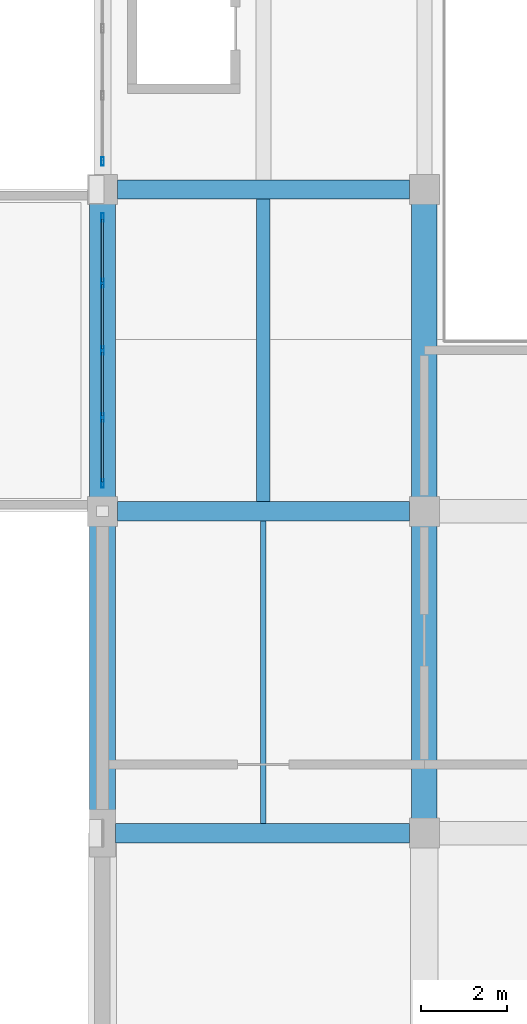
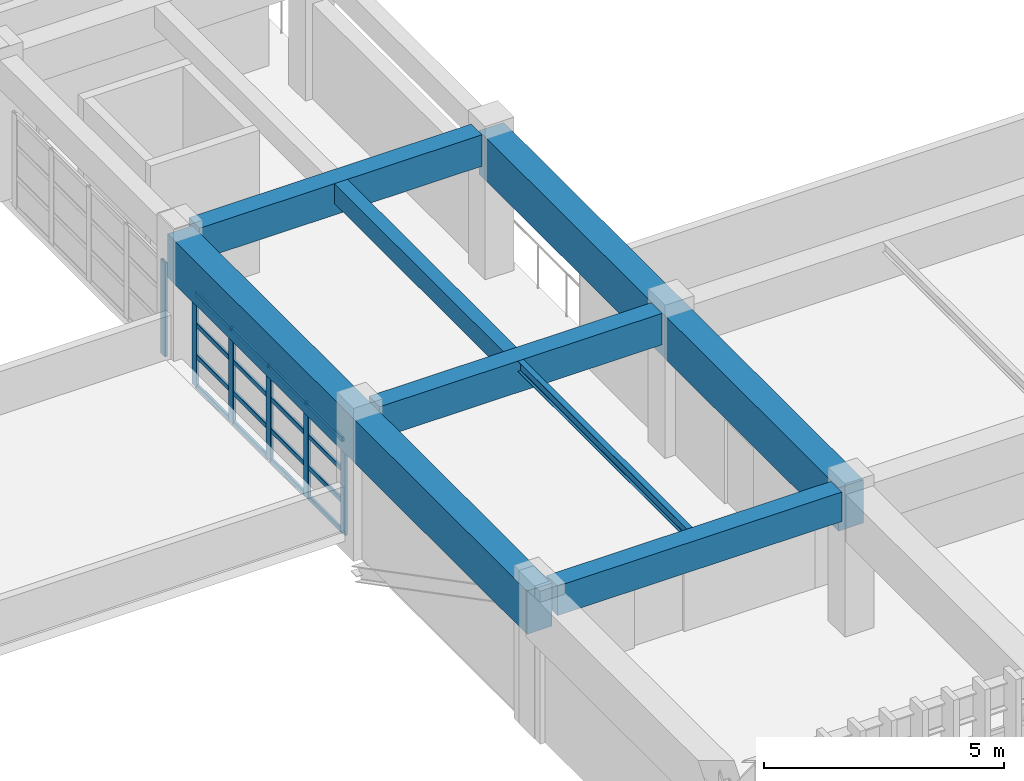
# One storey, part 14 of 82: 22 members, 7 beams, 2 elements without a shape of their own.
"""IFC4 building model written with IfcOpenShell, lengths in metres."""

from ifc_helpers import new_model, si_unit, direction, frame, origin, origin_2d, place, context, subcontext, project, spatial, rectangle, hollow_rectangle, i_section, extrude, material, material_profile, profile_set, type_object, element, aggregate, save


model = new_model("IFC4")

# Units and contexts
model_context = context("Model", 3, precision=1e-05, world=origin(), true_north=direction((0.0, 1.0)))
body_context = subcontext(model_context, "Body", "Model", "MODEL_VIEW")
ifc_project = project(units=[si_unit("LENGTHUNIT", "METRE"), si_unit("AREAUNIT", "SQUARE_METRE"), si_unit("VOLUMEUNIT", "CUBIC_METRE"), si_unit("PLANEANGLEUNIT", "RADIAN"), si_unit("MASSUNIT", "GRAM", prefix="KILO")], contexts=[model_context])

# Site, building, storey
site_placement = place(None, origin())
site = spatial("IfcSite", under=ifc_project, at=site_placement, CompositionType="ELEMENT")
building_placement = place(site_placement, origin())
building = spatial("IfcBuilding", under=site, at=building_placement, Name="Qasida Concert Hall", CompositionType="ELEMENT")
storey_placement = place(building_placement, frame((0.0, 0.0, 17.10009765625)))
storey = spatial("IfcBuildingStorey", under=building, at=storey_placement, Name="L04", CompositionType="ELEMENT", Elevation=17.10009765625)

# Beams
ifc_material_1 = material(Name="Concrete C40/50", Category="concrete")
ifc_material_profile_1 = material_profile(ifc_material_1, rectangle(XDim=0.449951171875, YDim=0.800048828125, at=origin_2d()), Name="RC 450x800")
ifc_profile_set_1 = profile_set([ifc_material_profile_1], Name="Concrete C40/50")
beam_type_1 = type_object("IfcBeamType", Name="BM-G2", PredefinedType="USERDEFINED", material=ifc_profile_set_1)
for number, where, z_axis, x_axis, name in (
    (1, (52.85009765625, 30.0, 3.219970703125), (1.0, 0.0, 0.0), (0.0, 1.0, 0.0), "Primary girder 1810"),
    (2, (52.85009765625, 37.5, 3.219970703125), (1.0, 0.0, 0.0), (0.0, 1.0, 0.0), "Primary girder 1815"),
):
    element("IfcBeam", number, at=place(storey_placement, frame(where, z_axis=z_axis, x_axis=x_axis)), inside=storey, type_object=beam_type_1, Name=name, ObjectType="GIRDER", PredefinedType="USERDEFINED", context=body_context, shape_type="SweptSolid", body=[
        extrude(rectangle(XDim=0.449951171875, YDim=0.800048828125, at=origin_2d()), origin(), (0.0, 0.0, 1.0), 6.7998046875),
    ])
ifc_material_2 = material(Name="Concrete C50/60", Category="concrete")
ifc_material_profile_2 = material_profile(ifc_material_2, rectangle(XDim=0.60009765625, YDim=1.10009765625, at=origin_2d()), Name="RC 600x1100")
ifc_profile_set_2 = profile_set([ifc_material_profile_2], Name="Concrete C50/60")
beam_type_2 = type_object("IfcBeamType", Name="BM-G4", PredefinedType="USERDEFINED", material=ifc_profile_set_2)
for number, where, z_axis, x_axis, name in (
    (3, (52.5, 22.5, 3.02001953125), (0.0, 1.0, 0.0), (-1.0, 0.0, 0.0), "Cantilever backspan girder CGB-022"),
    (4, (60.0, 22.5, 3.02001953125), (0.0, 1.0, 0.0), (-1.0, 0.0, 0.0), "Cantilever backspan girder CGB-023"),
):
    element("IfcBeam", number, at=place(storey_placement, frame(where, z_axis=z_axis, x_axis=x_axis)), inside=storey, type_object=beam_type_2, Name=name, ObjectType="GIRDER", PredefinedType="USERDEFINED", context=body_context, shape_type="SweptSolid", body=[
        extrude(rectangle(XDim=0.60009765625, YDim=1.10009765625, at=origin_2d()), origin(), (0.0, 0.0, 1.0), 15.0),
    ])
ifc_material_3 = material(Name="Steel S355J2", Category="steel")
ifc_material_profile_3 = material_profile(ifc_material_3, i_section(OverallWidth=0.135009765625, OverallDepth=0.27001953125, WebThickness=0.006591796875, FlangeThickness=0.01025390625, FilletRadius=0.014892578125, at=origin_2d()), Name="IPE 270")
ifc_profile_set_3 = profile_set([ifc_material_profile_3], Name="Steel S355J2")
beam_type_3 = type_object("IfcBeamType", Name="BM-J6", PredefinedType="JOIST", material=ifc_profile_set_3)
beam_1_placement = place(storey_placement, frame((56.25, 22.72509765625, 3.48486328125), z_axis=(0.0, 1.0, 0.0), x_axis=(-1.0, 0.0, 0.0)))
element("IfcBeam", 5, at=beam_1_placement, inside=storey, type_object=beam_type_3, Name="L04 secondary joist 1869", PredefinedType="JOIST", context=body_context, shape_type="SweptSolid", body=[
    extrude(i_section(OverallWidth=0.135009765625, OverallDepth=0.27001953125, WebThickness=0.006591796875, FlangeThickness=0.01025390625, FilletRadius=0.014892578125, at=origin_2d()), origin(), (0.0, 0.0, 1.0), 7.0498046875),
])
ifc_material_profile_4 = material_profile(ifc_material_1, rectangle(XDim=0.320068359375, YDim=0.5, at=origin_2d()), Name="RC 320x500")
ifc_profile_set_4 = profile_set([ifc_material_profile_4], Name="Concrete C40/50")
beam_type_4 = type_object("IfcBeamType", Name="BM-J7", PredefinedType="JOIST", material=ifc_profile_set_4)
beam_2_placement = place(storey_placement, frame((56.25, 30.22509765625, 3.369873046875), z_axis=(0.0, 1.0, 0.0), x_axis=(-1.0, 0.0, 0.0)))
element("IfcBeam", 6, at=beam_2_placement, inside=storey, type_object=beam_type_4, Name="L04 secondary joist 1870", PredefinedType="JOIST", context=body_context, shape_type="SweptSolid", body=[
    extrude(rectangle(XDim=0.320068359375, YDim=0.5, at=origin_2d()), origin(), (0.0, 0.0, 1.0), 7.0498046875),
])
ifc_material_profile_5 = material_profile(ifc_material_1, rectangle(XDim=0.449951171875, YDim=0.75, at=origin_2d()), Name="RC 450x750")
ifc_profile_set_5 = profile_set([ifc_material_profile_5], Name="Concrete C40/50")
beam_type_5 = type_object("IfcBeamType", Name="BM-SP4", PredefinedType="SPANDREL", material=ifc_profile_set_5)
beam_3_placement = place(storey_placement, frame((52.800048828125, 22.5, 3.244873046875), z_axis=(1.0, 0.0, 0.0), x_axis=(0.0, 1.0, 0.0)))
element("IfcBeam", 7, at=beam_3_placement, inside=storey, type_object=beam_type_5, Name="Primary girder 1805", PredefinedType="SPANDREL", context=body_context, shape_type="SweptSolid", body=[
    extrude(rectangle(XDim=0.449951171875, YDim=0.75, at=origin_2d()), origin(), (0.0, 0.0, 1.0), 6.849853515625),
])

# Curtain wall, members
ifc_material_4 = material(Name="Architectural bronze-anodized aluminium and low-E glass", Category="aluminium")
curtain_wall_type = type_object("IfcCurtainWallType", Name="CW-11", PredefinedType="NOTDEFINED", material=ifc_material_4)
curtain_wall_1_placement = place(storey_placement, origin())
curtain_wall_1 = element("IfcCurtainWall", 8, at=curtain_wall_1_placement, inside=storey, type_object=curtain_wall_type, Name="L04 curtain wall CW-11 0056", PredefinedType="NOTDEFINED")
ifc_material_5 = material(Name="Architectural bronze-anodized aluminium EN AW-6063", Category="aluminium")
ifc_material_profile_6 = material_profile(ifc_material_5, hollow_rectangle(XDim=0.06494140625, YDim=0.199951171875, WallThickness=0.0048828125, InnerFilletRadius=0.0048828125, OuterFilletRadius=0.010009765625, at=origin_2d()), Name="CWM 200x65x5")
ifc_profile_set_6 = profile_set([ifc_material_profile_6], Name="Architectural bronze-anodized aluminium EN AW-6063")
member_type_1 = type_object("IfcMemberType", Name="MB-CWM-2", PredefinedType="MULLION", material=ifc_profile_set_6)
member_1_placement = place(storey_placement, frame((52.5, 30.652587890625, 0.0), z_axis=(0.0, 0.0, 1.0), x_axis=(-1.0, 0.0, 0.0)))
member_1 = element("IfcMember", 9, at=member_1_placement, type_object=member_type_1, Name="CW-11 mullion 1", PredefinedType="MULLION", context=body_context, shape_type="SweptSolid", body=[
    extrude(hollow_rectangle(XDim=0.06494140625, YDim=0.199951171875, WallThickness=0.0048828125, InnerFilletRadius=0.0048828125, OuterFilletRadius=0.010009765625, at=origin_2d()), origin(), (0.0, 0.0, 1.0), 2.389892578125),
])
member_2_placement = place(storey_placement, frame((52.5, 32.18505859375, 0.0), z_axis=(0.0, 0.0, 1.0), x_axis=(-1.0, 0.0, 0.0)))
member_2 = element("IfcMember", 10, at=member_2_placement, type_object=member_type_1, Name="CW-11 mullion 2", PredefinedType="MULLION", context=body_context, shape_type="SweptSolid", body=[
    extrude(hollow_rectangle(XDim=0.06494140625, YDim=0.199951171875, WallThickness=0.0048828125, InnerFilletRadius=0.0048828125, OuterFilletRadius=0.010009765625, at=origin_2d()), origin(), (0.0, 0.0, 1.0), 2.389892578125),
])
member_3_placement = place(storey_placement, frame((52.5, 33.75, 0.0), z_axis=(0.0, 0.0, 1.0), x_axis=(-1.0, 0.0, 0.0)))
member_3 = element("IfcMember", 11, at=member_3_placement, type_object=member_type_1, Name="CW-11 mullion 3", PredefinedType="MULLION", context=body_context, shape_type="SweptSolid", body=[
    extrude(hollow_rectangle(XDim=0.06494140625, YDim=0.199951171875, WallThickness=0.0048828125, InnerFilletRadius=0.0048828125, OuterFilletRadius=0.010009765625, at=origin_2d()), origin(), (0.0, 0.0, 1.0), 2.389892578125),
])
member_4_placement = place(storey_placement, frame((52.5, 35.31494140625, 0.0), z_axis=(0.0, 0.0, 1.0), x_axis=(-1.0, 0.0, 0.0)))
member_4 = element("IfcMember", 12, at=member_4_placement, type_object=member_type_1, Name="CW-11 mullion 4", PredefinedType="MULLION", context=body_context, shape_type="SweptSolid", body=[
    extrude(hollow_rectangle(XDim=0.06494140625, YDim=0.199951171875, WallThickness=0.0048828125, InnerFilletRadius=0.0048828125, OuterFilletRadius=0.010009765625, at=origin_2d()), origin(), (0.0, 0.0, 1.0), 2.389892578125),
])
member_5_placement = place(storey_placement, frame((52.5, 36.847412109375, 0.0), z_axis=(0.0, 0.0, 1.0), x_axis=(-1.0, 0.0, 0.0)))
member_5 = element("IfcMember", 13, at=member_5_placement, type_object=member_type_1, Name="CW-11 mullion 5", PredefinedType="MULLION", context=body_context, shape_type="SweptSolid", body=[
    extrude(hollow_rectangle(XDim=0.06494140625, YDim=0.199951171875, WallThickness=0.0048828125, InnerFilletRadius=0.0048828125, OuterFilletRadius=0.010009765625, at=origin_2d()), origin(), (0.0, 0.0, 1.0), 2.389892578125),
])

# Curtain wall, member
curtain_wall_2_placement = place(storey_placement, origin())
curtain_wall_2 = element("IfcCurtainWall", 14, at=curtain_wall_2_placement, inside=storey, type_object=curtain_wall_type, Name="L04 curtain wall CW-11 0058", PredefinedType="NOTDEFINED")
member_6_placement = place(storey_placement, frame((52.5, 38.152587890625, 0.0), z_axis=(0.0, 0.0, 1.0), x_axis=(-1.0, 0.0, 0.0)))
member_6 = element("IfcMember", 15, at=member_6_placement, type_object=member_type_1, Name="CW-11 mullion 1", PredefinedType="MULLION", context=body_context, shape_type="SweptSolid", body=[
    extrude(hollow_rectangle(XDim=0.06494140625, YDim=0.199951171875, WallThickness=0.0048828125, InnerFilletRadius=0.0048828125, OuterFilletRadius=0.010009765625, at=origin_2d()), origin(), (0.0, 0.0, 1.0), 2.389892578125),
])
aggregate(curtain_wall_2, [member_6])

# Member
ifc_material_profile_7 = material_profile(ifc_material_5, hollow_rectangle(XDim=0.06005859375, YDim=0.1201171875, WallThickness=0.00390625, InnerFilletRadius=0.00390625, OuterFilletRadius=0.008056640625, at=origin_2d()), Name="CWT 120x60x4")
ifc_profile_set_7 = profile_set([ifc_material_profile_7], Name="Architectural bronze-anodized aluminium EN AW-6063")
member_type_2 = type_object("IfcMemberType", Name="MB-CWT-2", PredefinedType="USERDEFINED", material=ifc_profile_set_7)
member_7_placement = place(storey_placement, frame((52.5, 30.68505859375, 0.02978515625), z_axis=(0.0, 1.0, 0.0), x_axis=(-1.0, 0.0, 0.0)))
member_7 = element("IfcMember", 16, at=member_7_placement, type_object=member_type_2, Name="CW-11 transom 1.1", ObjectType="TRANSOM", PredefinedType="USERDEFINED", context=body_context, shape_type="SweptSolid", body=[
    extrude(hollow_rectangle(XDim=0.06005859375, YDim=0.1201171875, WallThickness=0.00390625, InnerFilletRadius=0.00390625, OuterFilletRadius=0.008056640625, at=origin_2d()), origin(), (0.0, 0.0, 1.0), 1.467529296875),
])

member_8_placement = place(storey_placement, frame((52.5, 30.68505859375, 0.796630859375), z_axis=(0.0, 1.0, 0.0), x_axis=(-1.0, 0.0, 0.0)))
member_8 = element("IfcMember", 17, at=member_8_placement, type_object=member_type_2, Name="CW-11 transom 1.2", ObjectType="TRANSOM", PredefinedType="USERDEFINED", context=body_context, shape_type="SweptSolid", body=[
    extrude(hollow_rectangle(XDim=0.06005859375, YDim=0.1201171875, WallThickness=0.00390625, InnerFilletRadius=0.00390625, OuterFilletRadius=0.008056640625, at=origin_2d()), origin(), (0.0, 0.0, 1.0), 1.467529296875),
])

member_9_placement = place(storey_placement, frame((52.5, 30.68505859375, 1.59326171875), z_axis=(0.0, 1.0, 0.0), x_axis=(-1.0, 0.0, 0.0)))
member_9 = element("IfcMember", 18, at=member_9_placement, type_object=member_type_2, Name="CW-11 transom 1.3", ObjectType="TRANSOM", PredefinedType="USERDEFINED", context=body_context, shape_type="SweptSolid", body=[
    extrude(hollow_rectangle(XDim=0.06005859375, YDim=0.1201171875, WallThickness=0.00390625, InnerFilletRadius=0.00390625, OuterFilletRadius=0.008056640625, at=origin_2d()), origin(), (0.0, 0.0, 1.0), 1.467529296875),
])

member_10_placement = place(storey_placement, frame((52.5, 30.68505859375, 2.35986328125), z_axis=(0.0, 1.0, 0.0), x_axis=(-1.0, 0.0, 0.0)))
member_10 = element("IfcMember", 19, at=member_10_placement, type_object=member_type_2, Name="CW-11 transom 1.4", ObjectType="TRANSOM", PredefinedType="USERDEFINED", context=body_context, shape_type="SweptSolid", body=[
    extrude(hollow_rectangle(XDim=0.06005859375, YDim=0.1201171875, WallThickness=0.00390625, InnerFilletRadius=0.00390625, OuterFilletRadius=0.008056640625, at=origin_2d()), origin(), (0.0, 0.0, 1.0), 1.467529296875),
])

member_11_placement = place(storey_placement, frame((52.5, 32.217529296875, 0.02978515625), z_axis=(0.0, 1.0, 0.0), x_axis=(-1.0, 0.0, 0.0)))
member_11 = element("IfcMember", 20, at=member_11_placement, type_object=member_type_2, Name="CW-11 transom 2.1", ObjectType="TRANSOM", PredefinedType="USERDEFINED", context=body_context, shape_type="SweptSolid", body=[
    extrude(hollow_rectangle(XDim=0.06005859375, YDim=0.1201171875, WallThickness=0.00390625, InnerFilletRadius=0.00390625, OuterFilletRadius=0.008056640625, at=origin_2d()), origin(), (0.0, 0.0, 1.0), 1.5),
])

member_12_placement = place(storey_placement, frame((52.5, 32.217529296875, 0.796630859375), z_axis=(0.0, 1.0, 0.0), x_axis=(-1.0, 0.0, 0.0)))
member_12 = element("IfcMember", 21, at=member_12_placement, type_object=member_type_2, Name="CW-11 transom 2.2", ObjectType="TRANSOM", PredefinedType="USERDEFINED", context=body_context, shape_type="SweptSolid", body=[
    extrude(hollow_rectangle(XDim=0.06005859375, YDim=0.1201171875, WallThickness=0.00390625, InnerFilletRadius=0.00390625, OuterFilletRadius=0.008056640625, at=origin_2d()), origin(), (0.0, 0.0, 1.0), 1.5),
])

member_13_placement = place(storey_placement, frame((52.5, 32.217529296875, 1.59326171875), z_axis=(0.0, 1.0, 0.0), x_axis=(-1.0, 0.0, 0.0)))
member_13 = element("IfcMember", 22, at=member_13_placement, type_object=member_type_2, Name="CW-11 transom 2.3", ObjectType="TRANSOM", PredefinedType="USERDEFINED", context=body_context, shape_type="SweptSolid", body=[
    extrude(hollow_rectangle(XDim=0.06005859375, YDim=0.1201171875, WallThickness=0.00390625, InnerFilletRadius=0.00390625, OuterFilletRadius=0.008056640625, at=origin_2d()), origin(), (0.0, 0.0, 1.0), 1.5),
])

member_14_placement = place(storey_placement, frame((52.5, 32.217529296875, 2.35986328125), z_axis=(0.0, 1.0, 0.0), x_axis=(-1.0, 0.0, 0.0)))
member_14 = element("IfcMember", 23, at=member_14_placement, type_object=member_type_2, Name="CW-11 transom 2.4", ObjectType="TRANSOM", PredefinedType="USERDEFINED", context=body_context, shape_type="SweptSolid", body=[
    extrude(hollow_rectangle(XDim=0.06005859375, YDim=0.1201171875, WallThickness=0.00390625, InnerFilletRadius=0.00390625, OuterFilletRadius=0.008056640625, at=origin_2d()), origin(), (0.0, 0.0, 1.0), 1.5),
])

member_15_placement = place(storey_placement, frame((52.5, 33.782470703125, 0.02978515625), z_axis=(0.0, 1.0, 0.0), x_axis=(-1.0, 0.0, 0.0)))
member_15 = element("IfcMember", 24, at=member_15_placement, type_object=member_type_2, Name="CW-11 transom 3.1", ObjectType="TRANSOM", PredefinedType="USERDEFINED", context=body_context, shape_type="SweptSolid", body=[
    extrude(hollow_rectangle(XDim=0.06005859375, YDim=0.1201171875, WallThickness=0.00390625, InnerFilletRadius=0.00390625, OuterFilletRadius=0.008056640625, at=origin_2d()), origin(), (0.0, 0.0, 1.0), 1.5),
])

member_16_placement = place(storey_placement, frame((52.5, 33.782470703125, 0.796630859375), z_axis=(0.0, 1.0, 0.0), x_axis=(-1.0, 0.0, 0.0)))
member_16 = element("IfcMember", 25, at=member_16_placement, type_object=member_type_2, Name="CW-11 transom 3.2", ObjectType="TRANSOM", PredefinedType="USERDEFINED", context=body_context, shape_type="SweptSolid", body=[
    extrude(hollow_rectangle(XDim=0.06005859375, YDim=0.1201171875, WallThickness=0.00390625, InnerFilletRadius=0.00390625, OuterFilletRadius=0.008056640625, at=origin_2d()), origin(), (0.0, 0.0, 1.0), 1.5),
])

member_17_placement = place(storey_placement, frame((52.5, 33.782470703125, 1.59326171875), z_axis=(0.0, 1.0, 0.0), x_axis=(-1.0, 0.0, 0.0)))
member_17 = element("IfcMember", 26, at=member_17_placement, type_object=member_type_2, Name="CW-11 transom 3.3", ObjectType="TRANSOM", PredefinedType="USERDEFINED", context=body_context, shape_type="SweptSolid", body=[
    extrude(hollow_rectangle(XDim=0.06005859375, YDim=0.1201171875, WallThickness=0.00390625, InnerFilletRadius=0.00390625, OuterFilletRadius=0.008056640625, at=origin_2d()), origin(), (0.0, 0.0, 1.0), 1.5),
])

member_18_placement = place(storey_placement, frame((52.5, 33.782470703125, 2.35986328125), z_axis=(0.0, 1.0, 0.0), x_axis=(-1.0, 0.0, 0.0)))
member_18 = element("IfcMember", 27, at=member_18_placement, type_object=member_type_2, Name="CW-11 transom 3.4", ObjectType="TRANSOM", PredefinedType="USERDEFINED", context=body_context, shape_type="SweptSolid", body=[
    extrude(hollow_rectangle(XDim=0.06005859375, YDim=0.1201171875, WallThickness=0.00390625, InnerFilletRadius=0.00390625, OuterFilletRadius=0.008056640625, at=origin_2d()), origin(), (0.0, 0.0, 1.0), 1.5),
])

member_19_placement = place(storey_placement, frame((52.5, 35.347412109375, 0.02978515625), z_axis=(0.0, 1.0, 0.0), x_axis=(-1.0, 0.0, 0.0)))
member_19 = element("IfcMember", 28, at=member_19_placement, type_object=member_type_2, Name="CW-11 transom 4.1", ObjectType="TRANSOM", PredefinedType="USERDEFINED", context=body_context, shape_type="SweptSolid", body=[
    extrude(hollow_rectangle(XDim=0.06005859375, YDim=0.1201171875, WallThickness=0.00390625, InnerFilletRadius=0.00390625, OuterFilletRadius=0.008056640625, at=origin_2d()), origin(), (0.0, 0.0, 1.0), 1.467529296875),
])

member_20_placement = place(storey_placement, frame((52.5, 35.347412109375, 0.796630859375), z_axis=(0.0, 1.0, 0.0), x_axis=(-1.0, 0.0, 0.0)))
member_20 = element("IfcMember", 29, at=member_20_placement, type_object=member_type_2, Name="CW-11 transom 4.2", ObjectType="TRANSOM", PredefinedType="USERDEFINED", context=body_context, shape_type="SweptSolid", body=[
    extrude(hollow_rectangle(XDim=0.06005859375, YDim=0.1201171875, WallThickness=0.00390625, InnerFilletRadius=0.00390625, OuterFilletRadius=0.008056640625, at=origin_2d()), origin(), (0.0, 0.0, 1.0), 1.467529296875),
])

member_21_placement = place(storey_placement, frame((52.5, 35.347412109375, 1.59326171875), z_axis=(0.0, 1.0, 0.0), x_axis=(-1.0, 0.0, 0.0)))
member_21 = element("IfcMember", 30, at=member_21_placement, type_object=member_type_2, Name="CW-11 transom 4.3", ObjectType="TRANSOM", PredefinedType="USERDEFINED", context=body_context, shape_type="SweptSolid", body=[
    extrude(hollow_rectangle(XDim=0.06005859375, YDim=0.1201171875, WallThickness=0.00390625, InnerFilletRadius=0.00390625, OuterFilletRadius=0.008056640625, at=origin_2d()), origin(), (0.0, 0.0, 1.0), 1.467529296875),
])

member_22_placement = place(storey_placement, frame((52.5, 35.347412109375, 2.35986328125), z_axis=(0.0, 1.0, 0.0), x_axis=(-1.0, 0.0, 0.0)))
member_22 = element("IfcMember", 31, at=member_22_placement, type_object=member_type_2, Name="CW-11 transom 4.4", ObjectType="TRANSOM", PredefinedType="USERDEFINED", context=body_context, shape_type="SweptSolid", body=[
    extrude(hollow_rectangle(XDim=0.06005859375, YDim=0.1201171875, WallThickness=0.00390625, InnerFilletRadius=0.00390625, OuterFilletRadius=0.008056640625, at=origin_2d()), origin(), (0.0, 0.0, 1.0), 1.467529296875),
])

aggregate(curtain_wall_1, [member_1, member_2, member_3, member_4, member_5, member_7, member_8, member_9, member_10, member_11, member_12, member_13, member_14, member_15, member_16, member_17, member_18, member_19, member_20, member_21, member_22])

save(model, "model.ifc")
